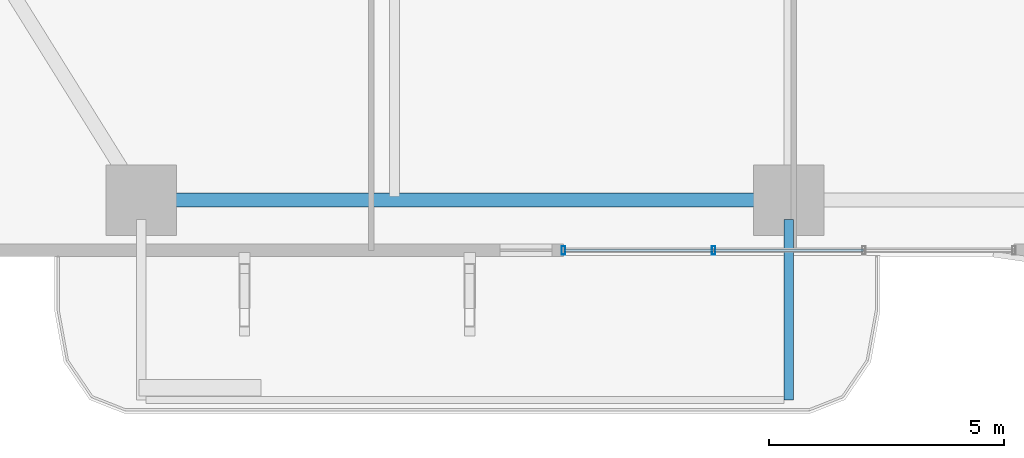
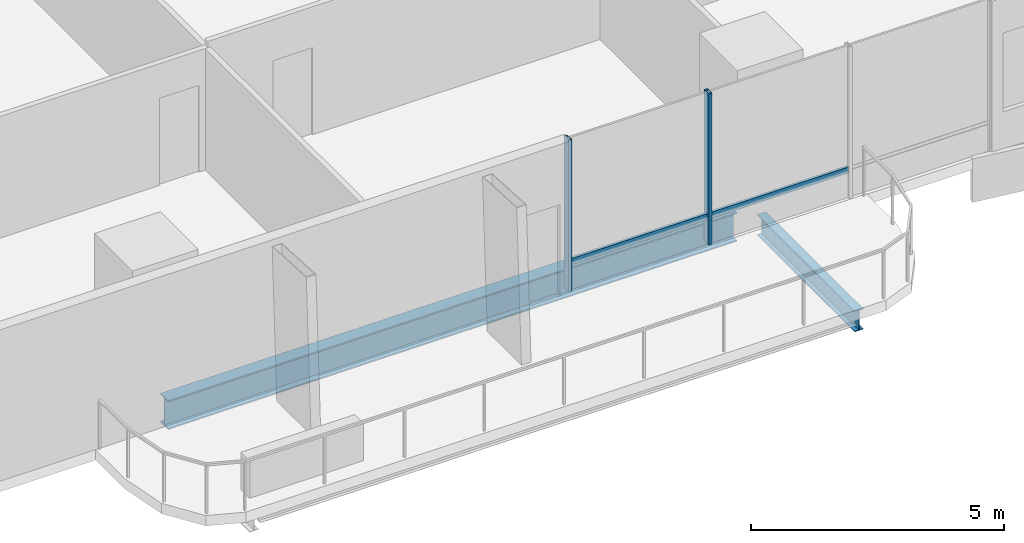
# One storey, part 2 of 23: 4 members, 2 beams, 1 element without a shape of its own.
"""IFC4 building model written with IfcOpenShell, lengths in metres."""

import ifcopenshell
import ifcopenshell.guid

model = None  # the IFC model being written
_history = None  # IfcOwnerHistory: only IFC2X3 demands one
_inside = {}  # id of a spatial element -> (the spatial element, [elements in it])
_under = {}  # id of a project, library or spatial element -> (it, [spatial elements below it])
_declared = {}  # id of a project -> (the project, [libraries it declares])
_typed = {}  # id of a type object -> (the type object, [elements of that type])
_made_of = {}  # id of a material, layer set ... -> (it, [elements and type objects made of it])


def new_model(schema):
    """Start an empty IFC model of exactly this schema.

    Asked for "IFC4X3", IfcOpenShell would pick the latest addendum, in which some entities
    have other attributes; the version numbers below select the first issue.
    IFC2X3 requires an IfcOwnerHistory on every rooted entity: one is made here for all.
    """
    global model, _history
    if schema == "IFC4X3":
        model = ifcopenshell.file(schema_version=(4, 3, 0, 0))
    else:
        model = ifcopenshell.file(schema=schema)
    _inside.clear()
    _under.clear()
    _declared.clear()
    _typed.clear()
    _made_of.clear()
    _history = None
    if model.schema == "IFC2X3":
        org = make("IfcOrganization", Name="unknown")
        user = make(
            "IfcPersonAndOrganization",
            ThePerson=make("IfcPerson", FamilyName="unknown"),
            TheOrganization=org,
        )
        app = make(
            "IfcApplication",
            ApplicationDeveloper=org,
            Version="unknown",
            ApplicationFullName="unknown",
            ApplicationIdentifier="unknown",
        )
        _history = make(
            "IfcOwnerHistory",
            OwningUser=user,
            OwningApplication=app,
            ChangeAction="ADDED",
            CreationDate=0,
        )
    return model


def make(cls, **values):
    """One entity of the class cls with the attributes given. An attribute that is None is left unset."""
    return model.create_entity(
        cls, **{name: value for name, value in values.items() if value is not None}
    )


def rooted(cls, **values):
    """An entity with a GlobalId (a new one), such as an element, a storey or a relation."""
    return make(cls, GlobalId=ifcopenshell.guid.new(), OwnerHistory=_history, **values)


def si_unit(unit_type, name, prefix=None):
    """IfcSIUnit, for example si_unit("LENGTHUNIT", "METRE", prefix="MILLI")."""
    return make("IfcSIUnit", UnitType=unit_type, Prefix=prefix, Name=name)


def assignment(units):
    """IfcUnitAssignment: the units of a project."""
    return None if units is None else make("IfcUnitAssignment", Units=units)


def point(xyz):
    """IfcCartesianPoint."""
    return None if xyz is None else make("IfcCartesianPoint", Coordinates=xyz)


def direction(xyz):
    """IfcDirection."""
    return None if xyz is None else make("IfcDirection", DirectionRatios=xyz)


def frame(location, z_axis=None, x_axis=None):
    """IfcAxis2Placement3D, a coordinate frame: its origin and axes. An axis left out is left unset."""
    return make(
        "IfcAxis2Placement3D",
        Location=point(location),
        Axis=direction(z_axis),
        RefDirection=direction(x_axis),
    )


def frame_2d(location, x_axis=None):
    """IfcAxis2Placement2D, a coordinate frame in the plane: its origin and x axis."""
    return make(
        "IfcAxis2Placement2D", Location=point(location), RefDirection=direction(x_axis)
    )


def origin():
    """The frame at (0, 0, 0) with its axes left unset."""
    return frame((0.0, 0.0, 0.0))


def origin_2d():
    """The frame at (0, 0) in the plane with its x axis left unset."""
    return frame_2d((0.0, 0.0))


def place(relative_to, where):
    """IfcLocalPlacement: puts the frame where relative to a parent placement (None: the world)."""
    return make(
        "IfcLocalPlacement", PlacementRelTo=relative_to, RelativePlacement=where
    )


def context(
    kind, dimensions, precision=None, world=None, true_north=None, identifier=None
):
    """IfcGeometricRepresentationContext, for example the 3D "Model" context."""
    return make(
        "IfcGeometricRepresentationContext",
        ContextIdentifier=identifier,
        ContextType=kind,
        CoordinateSpaceDimension=dimensions,
        Precision=precision,
        WorldCoordinateSystem=world,
        TrueNorth=true_north,
    )


def subcontext(parent, identifier, kind, view, scale=None):
    """IfcGeometricRepresentationSubContext, for example "Body" below "Model"."""
    return make(
        "IfcGeometricRepresentationSubContext",
        ContextIdentifier=identifier,
        ContextType=kind,
        ParentContext=parent,
        TargetScale=scale,
        TargetView=view,
    )


def project(units=None, contexts=None):
    """IfcProject with its units and contexts."""
    return rooted(
        "IfcProject",
        Name="project",
        RepresentationContexts=contexts,
        UnitsInContext=assignment(units),
    )


def spatial(cls, under=None, at=None, **own):
    """A site, building, storey or space (cls), placed at a placement, below another one or the project."""
    s = rooted(cls, ObjectPlacement=at, **own)
    if under is not None:
        _under.setdefault(under.id(), (under, []))[1].append(s)
    return s


def profile(cls, at=None, kind="AREA", **sizes):
    """A parametric profile (cls). Its sizes go by their IFC names, for example OverallWidth=200.0."""
    return make(cls, ProfileType=kind, Position=at, **sizes)


def hollow_rectangle(**sizes):
    """IfcRectangleHollowProfileDef."""
    return profile("IfcRectangleHollowProfileDef", **sizes)


def i_section(**sizes):
    """IfcIShapeProfileDef."""
    return profile("IfcIShapeProfileDef", **sizes)


def extrude(swept, where, along, depth):
    """IfcExtrudedAreaSolid: the profile swept, set in the frame where, extruded along a direction by depth."""
    return make(
        "IfcExtrudedAreaSolid",
        SweptArea=swept,
        Position=where,
        ExtrudedDirection=direction(along),
        Depth=depth,
    )


def shape(context_of_items, identifier, shape_type, items):
    """IfcShapeRepresentation: the items that make up one representation, for example the "Body"."""
    return make(
        "IfcShapeRepresentation",
        ContextOfItems=context_of_items,
        RepresentationIdentifier=identifier,
        RepresentationType=shape_type,
        Items=items,
    )


def material(Name=None, Category=None):
    """IfcMaterial."""
    return make("IfcMaterial", Name=Name, Category=Category)


def layer(
    of_material, thickness, ventilated=None, Name=None, Category=None, Priority=None
):
    """IfcMaterialLayer: one layer of a wall or slab, of a material (None: an air gap)."""
    return make(
        "IfcMaterialLayer",
        Material=of_material,
        LayerThickness=thickness,
        IsVentilated=ventilated,
        Name=Name,
        Category=Category,
        Priority=Priority,
    )


def layer_set(layers, Name=None):
    """IfcMaterialLayerSet."""
    return make("IfcMaterialLayerSet", MaterialLayers=layers, LayerSetName=Name)


def material_profile(
    of_material, cross_section, Name=None, Category=None, Priority=None
):
    """IfcMaterialProfile: a cross section and its material."""
    return make(
        "IfcMaterialProfile",
        Name=Name,
        Material=of_material,
        Profile=cross_section,
        Priority=Priority,
        Category=Category,
    )


def profile_set(profiles, Name=None, composite=None):
    """IfcMaterialProfileSet."""
    return make(
        "IfcMaterialProfileSet",
        Name=Name,
        MaterialProfiles=profiles,
        CompositeProfile=composite,
    )


def made_of(thing, what):
    """Note that an element or type object is made of a material, layer set ...; save() writes the relation."""
    if what is not None:
        _made_of.setdefault(what.id(), (what, []))[1].append(thing)
    return thing


def type_object(cls, material=None, **own):
    """A type object (cls), such as IfcWallType, which elements share."""
    return made_of(rooted(cls, **own), material)


def element(
    cls,
    number,
    at=None,
    inside=None,
    cuts=None,
    type_object=None,
    material=None,
    context=None,
    identifier="Body",
    shape_type=None,
    held_by="IfcProductDefinitionShape",
    body=None,
    shapes=None,
    **own,
):
    """One element of the class cls, such as IfcWall. Its Tag is "e" and its number.

    at: its placement. inside: the storey or other place that contains it. cuts: it is an
    opening in that element (IfcRelVoidsElement). A single representation is given by context,
    identifier, shape_type and body (its items); several are given by shapes. held_by: the class
    of the entity that holds the representations. save() writes the other relations.
    """
    e = rooted(cls, Tag="e%d" % number, ObjectPlacement=at, **own)
    if body is not None:
        shapes = [shape(context, identifier, shape_type, body)]
    if shapes is not None:
        e.Representation = make(held_by, Representations=shapes)
    if inside is not None:
        _inside.setdefault(inside.id(), (inside, []))[1].append(e)
    if cuts is not None:
        rooted(
            "IfcRelVoidsElement", RelatingBuildingElement=cuts, RelatedOpeningElement=e
        )
    if type_object is not None:
        _typed.setdefault(type_object.id(), (type_object, []))[1].append(e)
    return made_of(e, material)


def aggregate(whole, parts):
    """IfcRelAggregates: a whole, such as a stair, and the parts it consists of."""
    return rooted("IfcRelAggregates", RelatingObject=whole, RelatedObjects=parts)


def save(model, path):
    """Write the relations noted so far, then the file.

    IfcRelAggregates (storeys below a building ...), IfcRelContainedInSpatialStructure (elements
    in a storey), IfcRelDefinesByType, IfcRelAssociatesMaterial and IfcRelDeclares: one each for
    every whole, place, type object, material and project.
    """
    for whole, parts in _under.values():
        aggregate(whole, parts)
    for where, things in _inside.values():
        rooted(
            "IfcRelContainedInSpatialStructure",
            RelatedElements=things,
            RelatingStructure=where,
        )
    for kind, things in _typed.values():
        rooted("IfcRelDefinesByType", RelatedObjects=things, RelatingType=kind)
    for what, things in _made_of.values():
        rooted("IfcRelAssociatesMaterial", RelatedObjects=things, RelatingMaterial=what)
    for by, libraries in _declared.values():
        rooted("IfcRelDeclares", RelatingContext=by, RelatedDefinitions=libraries)
    model.write(path)


model = new_model("IFC4")

# Units and contexts
model_context = context("Model", 3, precision=1e-05, world=origin(), true_north=direction((0.0, 1.0)))
body_context = subcontext(model_context, "Body", "Model", "MODEL_VIEW")
ifc_project = project(units=[si_unit("LENGTHUNIT", "METRE"), si_unit("AREAUNIT", "SQUARE_METRE"), si_unit("VOLUMEUNIT", "CUBIC_METRE"), si_unit("PLANEANGLEUNIT", "RADIAN"), si_unit("MASSUNIT", "GRAM", prefix="KILO")], contexts=[model_context])

# Site, building, storey
site_placement = place(None, origin())
site = spatial("IfcSite", under=ifc_project, at=site_placement, CompositionType="ELEMENT")
building_placement = place(site_placement, origin())
building = spatial("IfcBuilding", under=site, at=building_placement, Name="Belovzor Exchange Tower", CompositionType="ELEMENT")
storey_placement = place(building_placement, frame((0.0, 0.0, 76.800048828125)))
storey = spatial("IfcBuildingStorey", under=building, at=storey_placement, Name="L18", CompositionType="ELEMENT", Elevation=76.800048828125)

# Beam
ifc_material_1 = material(Name="Steel S355", Category="steel")
ifc_material_profile_1 = material_profile(ifc_material_1, i_section(OverallWidth=0.199951171875, OverallDepth=0.5, WebThickness=0.01025390625, FlangeThickness=0.01611328125, at=origin_2d()))
ifc_profile_set_1 = profile_set([ifc_material_profile_1], Name="Steel S355")
beam_type_1 = type_object("IfcBeamType", Name="Planted Balcony Cantilever Beam IPE 500", PredefinedType="BEAM", material=ifc_profile_set_1)
beam_1_placement = place(storey_placement, frame((28.800048828125, 1.68798828125, -0.5), z_axis=(0.0, -1.0, 0.0), x_axis=(1.0, 0.0, 0.0)))
element("IfcBeam", 1, at=beam_1_placement, inside=storey, type_object=beam_type_1, Name="BC-500 Planted Balcony Cantilever Beam IPE 500", PredefinedType="BEAM", context=body_context, shape_type="SweptSolid", body=[
    extrude(i_section(OverallWidth=0.199951171875, OverallDepth=0.5, WebThickness=0.01025390625, FlangeThickness=0.01611328125, at=origin_2d()), origin(), (0.0, 0.0, 1.0), 3.85009765625),
])

# Curtain wall, members
ifc_material_2 = material(Name="Anodised Aluminium Framing", Category="aluminium")
ifc_layer = layer(ifc_material_2, 0.179931640625)
ifc_layer_set = layer_set([ifc_layer], Name="Anodised Aluminium Framing")
curtain_wall_type = type_object("IfcCurtainWallType", Name="Recessed Loggia Low-Iron Triple-Glazed Curtain Wall", PredefinedType="NOTDEFINED", material=ifc_layer_set)
curtain_wall_placement = place(storey_placement, origin())
curtain_wall = element("IfcCurtainWall", 2, at=curtain_wall_placement, inside=storey, type_object=curtain_wall_type, Name="CW3 Recessed Loggia Low-Iron Triple-Glazed Curtain Wall L18", PredefinedType="NOTDEFINED")
ifc_material_3 = material(Name="Steel S355", Category="steel")
ifc_material_profile_2 = material_profile(ifc_material_3, hollow_rectangle(XDim=0.074951171875, YDim=0.179931640625, WallThickness=0.0048828125, at=origin_2d()))
ifc_profile_set_2 = profile_set([ifc_material_profile_2], Name="Steel S355")
member_type_1 = type_object("IfcMemberType", Name="Thermally Broken Curtain Wall Mullion 180x75", PredefinedType="MULLION", material=ifc_profile_set_2)
member_1_placement = place(storey_placement, frame((27.199951171875, 1.030029296875, 0.0), z_axis=(0.0, 0.0, 1.0), x_axis=(-1.0, 0.0, 0.0)))
member_1 = element("IfcMember", 3, at=member_1_placement, type_object=member_type_1, Name="CW-M180 Curtain Wall Mullion 3", PredefinedType="MULLION", context=body_context, shape_type="SweptSolid", body=[
    extrude(hollow_rectangle(XDim=0.074951171875, YDim=0.179931640625, WallThickness=0.0048828125, at=origin_2d()), origin(), (0.0, 0.0, 1.0), 3.64990234375),
])
member_2_placement = place(storey_placement, frame((24.0, 1.030029296875, 0.0), z_axis=(0.0, 0.0, 1.0), x_axis=(-1.0, 0.0, 0.0)))
member_2 = element("IfcMember", 4, at=member_2_placement, type_object=member_type_1, Name="CW-M180 Curtain Wall Mullion 4", PredefinedType="MULLION", context=body_context, shape_type="SweptSolid", body=[
    extrude(hollow_rectangle(XDim=0.074951171875, YDim=0.179931640625, WallThickness=0.0048828125, at=origin_2d()), origin(), (0.0, 0.0, 1.0), 3.64990234375),
])
ifc_material_4 = material(Name="Steel S355", Category="steel")
ifc_material_profile_3 = material_profile(ifc_material_4, hollow_rectangle(XDim=0.06005859375, YDim=0.14990234375, WallThickness=0.00390625, at=origin_2d()))
ifc_profile_set_3 = profile_set([ifc_material_profile_3], Name="Steel S355")
member_type_2 = type_object("IfcMemberType", Name="Thermally Broken Curtain Wall Transom 150x60", PredefinedType="USERDEFINED", material=ifc_profile_set_3)
member_3_placement = place(storey_placement, frame((30.39208984375, 1.030029296875, 0.64990234375), z_axis=(-1.0, 0.0, 0.0), x_axis=(0.0, -1.0, 0.0)))
member_3 = element("IfcMember", 5, at=member_3_placement, type_object=member_type_2, Name="CW-T150 Curtain Wall Transom 2", ObjectType="TRANSOM", PredefinedType="USERDEFINED", context=body_context, shape_type="SweptSolid", body=[
    extrude(hollow_rectangle(XDim=0.06005859375, YDim=0.14990234375, WallThickness=0.00390625, at=origin_2d()), origin(), (0.0, 0.0, 1.0), 3.18408203125),
])
member_4_placement = place(storey_placement, frame((27.19189453125, 1.030029296875, 0.64990234375), z_axis=(-1.0, 0.0, 0.0), x_axis=(0.0, -1.0, 0.0)))
member_4 = element("IfcMember", 6, at=member_4_placement, type_object=member_type_2, Name="CW-T150 Curtain Wall Transom 3", ObjectType="TRANSOM", PredefinedType="USERDEFINED", context=body_context, shape_type="SweptSolid", body=[
    extrude(hollow_rectangle(XDim=0.06005859375, YDim=0.14990234375, WallThickness=0.00390625, at=origin_2d()), origin(), (0.0, 0.0, 1.0), 3.183837890625),
])
aggregate(curtain_wall, [member_1, member_2, member_3, member_4])

# Beam
ifc_material_5 = material(Name="Steel S355", Category="steel")
ifc_material_profile_4 = material_profile(ifc_material_5, i_section(OverallWidth=0.300048828125, OverallDepth=0.699951171875, WebThickness=0.01708984375, FlangeThickness=0.031982421875, at=origin_2d()))
ifc_profile_set_4 = profile_set([ifc_material_profile_4], Name="Steel S355")
beam_type_2 = type_object("IfcBeamType", Name="Zone 1 Primary Perimeter Girder HEB 700", PredefinedType="BEAM", material=ifc_profile_set_4)
beam_2_placement = place(storey_placement, frame((15.412109375, 2.10009765625, -0.60009765625), z_axis=(1.0, 0.0, 0.0), x_axis=(0.0, 1.0, 0.0)))
element("IfcBeam", 7, at=beam_2_placement, inside=storey, type_object=beam_type_2, Name="FG-Z1 Zone 1 Primary Perimeter Girder HEB 700", PredefinedType="BEAM", context=body_context, shape_type="SweptSolid", body=[
    extrude(i_section(OverallWidth=0.300048828125, OverallDepth=0.699951171875, WebThickness=0.01708984375, FlangeThickness=0.031982421875, at=origin_2d()), origin(), (0.0, 0.0, 1.0), 12.974853515625),
])

save(model, "model.ifc")
